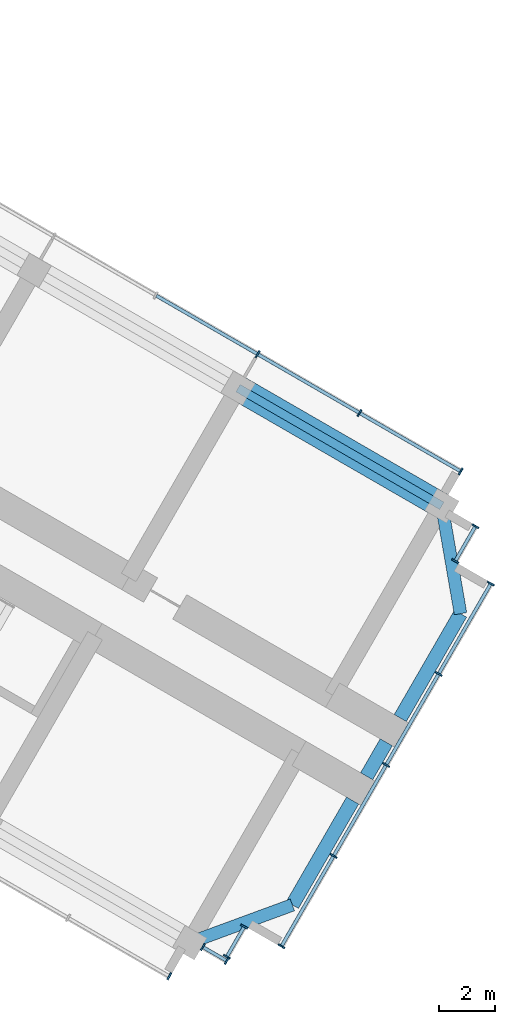
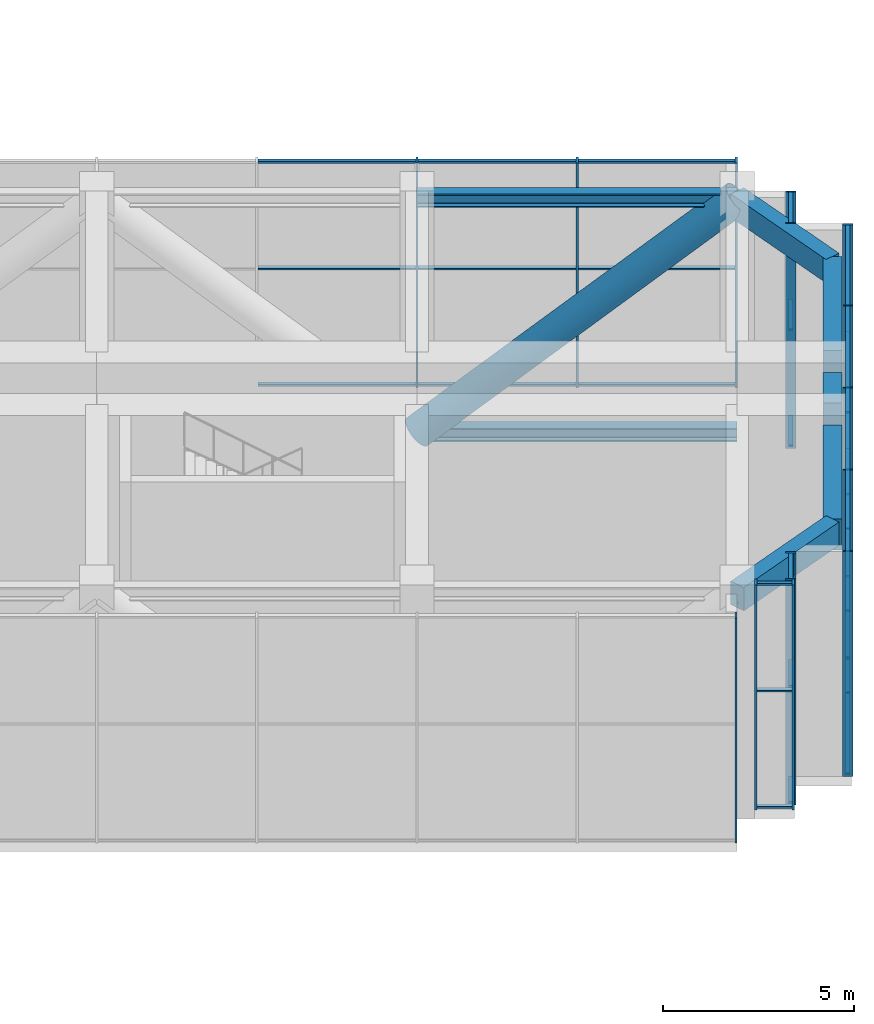
# One storey, part 7 of 16: 48 members, 5 beams, 6 elements without a shape of their own.
"""IFC4 building model written with IfcOpenShell, lengths in metres."""

from ifc_helpers import new_model, si_unit, direction, frame, origin, origin_2d, place, context, subcontext, project, spatial, rectangle, hollow_circle, i_section, extrude, material, material_profile, profile_set, type_object, element, aggregate, save


model = new_model("IFC4")

# Units and contexts
model_context = context("Model", 3, precision=1e-05, world=origin(), true_north=direction((0.0, 1.0)))
body_context = subcontext(model_context, "Body", "Model", "MODEL_VIEW")
ifc_project = project(units=[si_unit("LENGTHUNIT", "METRE"), si_unit("AREAUNIT", "SQUARE_METRE"), si_unit("VOLUMEUNIT", "CUBIC_METRE"), si_unit("PLANEANGLEUNIT", "RADIAN"), si_unit("MASSUNIT", "GRAM", prefix="KILO")], contexts=[model_context])

# Site, building, storey
site_placement = place(None, origin())
site = spatial("IfcSite", under=ifc_project, at=site_placement, CompositionType="ELEMENT")
building_placement = place(site_placement, origin())
building = spatial("IfcBuilding", under=site, at=building_placement, Name="Impinga Residences", CompositionType="ELEMENT")
storey_placement = place(building_placement, frame((0.0, 0.0, 181.0)))
storey = spatial("IfcBuildingStorey", under=building, at=storey_placement, Name="L45", CompositionType="ELEMENT", Elevation=181.0)

# Members
ifc_material_1 = material(Name="Steel S355", Category="steel")
ifc_material_profile_1 = material_profile(ifc_material_1, i_section(OverallWidth=0.306884765625, OverallDepth=0.431884765625, WebThickness=0.02099609375, FlangeThickness=0.0400390625, FilletRadius=0.027099609375, at=origin_2d()), Name="HE 400 M")
ifc_profile_set_1 = profile_set([ifc_material_profile_1], Name="Steel S355")
member_type_1 = type_object("IfcMemberType", Name="BT1 HE 400 M belt truss chord", PredefinedType="CHORD", material=ifc_profile_set_1)
for number, where, z_axis, x_axis, name in (
    (1, (28.94921875, -6.321533203125, -0.51611328125), (0.86602925447, -0.499993330357, 0.0), (0.499993330357, 0.86602925447, 0.0), "Belt truss chord BT1 EA E3-E4 L45"),
    (2, (28.94921875, -6.321533203125, 6.98388671875), (0.86602925447, -0.499993330357, 0.0), (0.499993330357, 0.86602925447, 0.0), "Belt truss chord BT1 EA E3-E4 L45"),
):
    element("IfcMember", number, at=place(storey_placement, frame(where, z_axis=z_axis, x_axis=x_axis)), inside=storey, type_object=member_type_1, Name=name, PredefinedType="CHORD", context=body_context, shape_type="SweptSolid", body=[
        extrude(i_section(OverallWidth=0.306884765625, OverallDepth=0.431884765625, WebThickness=0.02099609375, FlangeThickness=0.0400390625, FilletRadius=0.027099609375, at=origin_2d()), origin(), (0.0, 0.0, 1.0), 8.39990234375),
    ])
ifc_material_2 = material(Name="Steel S355J2H", Category="steel")
ifc_material_profile_2 = material_profile(ifc_material_2, hollow_circle(Radius=0.457275390625, WallThickness=0.02490234375, at=origin_2d()), Name="CHS 914.4x25")
ifc_profile_set_2 = profile_set([ifc_material_profile_2], Name="Steel S355J2H")
member_type_2 = type_object("IfcMemberType", Name="BT3 CHS 914.4x25 belt truss diagonal at L45", PredefinedType="BRACE", material=ifc_profile_set_2)
member_1_placement = place(storey_placement, frame((28.94921875, -6.321533203125, -0.51611328125), z_axis=(0.646004328005, -0.372964139164, 0.666015134285), x_axis=(0.499993330357, 0.86602925447, 0.0)))
element("IfcMember", 3, at=member_1_placement, inside=storey, type_object=member_type_2, Name="Belt truss diagonal BT3 EA E3-E4 L45", PredefinedType="BRACE", context=body_context, shape_type="SweptSolid", body=[
    extrude(hollow_circle(Radius=0.457275390625, WallThickness=0.02490234375, at=origin_2d()), origin(), (0.0, 0.0, 1.0), 11.260986328125),
])

# Beams
ifc_material_3 = material(Name="Concrete C60/75", Category="concrete")
ifc_material_profile_3 = material_profile(ifc_material_3, rectangle(XDim=0.449951171875, YDim=0.75, at=origin_2d()), Name="RC 450x750")
ifc_profile_set_3 = profile_set([ifc_material_profile_3], Name="Concrete C60/75")
beam_type_1 = type_object("IfcBeamType", Name="CB1 450x750 wing end cantilever beam", PredefinedType="BEAM", material=ifc_profile_set_3)
beam_1_placement = place(storey_placement, frame((36.223876953125, -10.521484375, 6.824951171875), z_axis=(0.170296298948, -0.985392901621, 0.0), x_axis=(0.985392901621, 0.170296298948, 0.0)))
element("IfcBeam", 4, at=beam_1_placement, inside=storey, type_object=beam_type_1, Name="Beam CB1 EB E4-EX level L46", PredefinedType="BEAM", context=body_context, shape_type="SweptSolid", body=[
    extrude(rectangle(XDim=0.449951171875, YDim=0.75, at=origin_2d()), origin(), (0.0, 0.0, 1.0), 3.9052734375),
])
beam_2_placement = place(storey_placement, frame((27.223876953125, -26.110107421875, 6.824951171875), z_axis=(0.938520178725, 0.345224382289, 0.0), x_axis=(-0.345224382289, 0.938520178725, 0.0)))
element("IfcBeam", 5, at=beam_2_placement, inside=storey, type_object=beam_type_1, Name="Beam CB1 EE E4-EX level L46", PredefinedType="BEAM", context=body_context, shape_type="SweptSolid", body=[
    extrude(rectangle(XDim=0.449951171875, YDim=0.75, at=origin_2d()), origin(), (0.0, 0.0, 1.0), 3.905029296875),
])

# Curtain wall, members
ifc_material_4 = material(Name="Aluminium stick curtain wall", Category="aluminium")
curtain_wall_type = type_object("IfcCurtainWallType", Name="CW4 plant floor louvred curtain wall", PredefinedType="USERDEFINED", material=ifc_material_4)
curtain_wall_1_placement = place(storey_placement, origin())
curtain_wall_1 = element("IfcCurtainWall", 6, at=curtain_wall_1_placement, inside=storey, type_object=curtain_wall_type, Name="Curtain wall CW4 L45", ObjectType="STICK CURTAIN WALL", PredefinedType="USERDEFINED")
ifc_material_5 = material(Name="Aluminium mullion", Category="aluminium")
ifc_material_profile_4 = material_profile(ifc_material_5, rectangle(XDim=0.06005859375, YDim=0.27490234375, at=origin_2d()), Name="60x275 mullion")
ifc_profile_set_4 = profile_set([ifc_material_profile_4], Name="Aluminium mullion")
member_type_3 = type_object("IfcMemberType", Name="CW4-M mullion 60x275", PredefinedType="MULLION", material=ifc_profile_set_4)
member_2_placement = place(storey_placement, frame((29.649169921875, -5.109130859375, 0.0), z_axis=(0.0, 0.0, 1.0), x_axis=(0.866025402048, -0.500000003008, 0.0)))
member_2 = element("IfcMember", 7, at=member_2_placement, type_object=member_type_3, Name="CW4 mullion 5", PredefinedType="MULLION", context=body_context, shape_type="SweptSolid", body=[
    extrude(rectangle(XDim=0.06005859375, YDim=0.27490234375, at=origin_2d()), origin(), (0.0, 0.0, 1.0), 7.199951171875),
])
member_3_placement = place(storey_placement, frame((33.28662109375, -7.208984375, 0.0), z_axis=(0.0, 0.0, 1.0), x_axis=(0.866025402048, -0.500000003008, 0.0)))
member_3 = element("IfcMember", 8, at=member_3_placement, type_object=member_type_3, Name="CW4 mullion 6", PredefinedType="MULLION", context=body_context, shape_type="SweptSolid", body=[
    extrude(rectangle(XDim=0.06005859375, YDim=0.27490234375, at=origin_2d()), origin(), (0.0, 0.0, 1.0), 7.199951171875),
])
member_4_placement = place(storey_placement, frame((36.89794921875, -9.294189453125, 0.0), z_axis=(0.0, 0.0, 1.0), x_axis=(0.866025402048, -0.500000003008, 0.0)))
member_4 = element("IfcMember", 9, at=member_4_placement, type_object=member_type_3, Name="CW4 mullion 7", PredefinedType="MULLION", context=body_context, shape_type="SweptSolid", body=[
    extrude(rectangle(XDim=0.06005859375, YDim=0.27490234375, at=origin_2d()), origin(), (0.0, 0.0, 1.0), 7.199951171875),
])

curtain_wall_2_placement = place(storey_placement, origin())
curtain_wall_2 = element("IfcCurtainWall", 10, at=curtain_wall_2_placement, inside=storey, type_object=curtain_wall_type, Name="Curtain wall CW4 L45", ObjectType="STICK CURTAIN WALL", PredefinedType="USERDEFINED")
member_5_placement = place(storey_placement, frame((37.42138671875, -11.24755859375, 0.0), z_axis=(0.0, 0.0, 1.0), x_axis=(-0.500000030502, -0.866025386174, 0.0)))
member_5 = element("IfcMember", 11, at=member_5_placement, type_object=member_type_3, Name="CW4 mullion 1", PredefinedType="MULLION", context=body_context, shape_type="SweptSolid", body=[
    extrude(rectangle(XDim=0.06005859375, YDim=0.27490234375, at=origin_2d()), origin(), (0.0, 0.0, 1.0), 7.199951171875),
])
member_6_placement = place(storey_placement, frame((36.701171875, -12.49462890625, 0.0), z_axis=(0.0, 0.0, 1.0), x_axis=(-0.500000030502, -0.866025386174, 0.0)))
member_6 = element("IfcMember", 12, at=member_6_placement, type_object=member_type_3, Name="CW4 mullion 2", PredefinedType="MULLION", context=body_context, shape_type="SweptSolid", body=[
    extrude(rectangle(XDim=0.06005859375, YDim=0.27490234375, at=origin_2d()), origin(), (0.0, 0.0, 1.0), 7.199951171875),
])

curtain_wall_3_placement = place(storey_placement, origin())
curtain_wall_3 = element("IfcCurtainWall", 13, at=curtain_wall_3_placement, inside=storey, type_object=curtain_wall_type, Name="Curtain wall CW4 L45", ObjectType="STICK CURTAIN WALL", PredefinedType="USERDEFINED")
member_7_placement = place(storey_placement, frame((37.97021484375, -13.296630859375, 0.0), z_axis=(0.0, 0.0, 1.0), x_axis=(-0.500000001632, -0.866025402842, 0.0)))
member_7 = element("IfcMember", 14, at=member_7_placement, type_object=member_type_3, Name="CW4 mullion 1", PredefinedType="MULLION", context=body_context, shape_type="SweptSolid", body=[
    extrude(rectangle(XDim=0.06005859375, YDim=0.27490234375, at=origin_2d()), origin(), (0.0, 0.0, 1.0), 7.199951171875),
])
member_8_placement = place(storey_placement, frame((36.1103515625, -16.51806640625, 0.0), z_axis=(0.0, 0.0, 1.0), x_axis=(-0.500000001632, -0.866025402842, 0.0)))
member_8 = element("IfcMember", 15, at=member_8_placement, type_object=member_type_3, Name="CW4 mullion 2", PredefinedType="MULLION", context=body_context, shape_type="SweptSolid", body=[
    extrude(rectangle(XDim=0.06005859375, YDim=0.27490234375, at=origin_2d()), origin(), (0.0, 0.0, 1.0), 7.199951171875),
])
member_9_placement = place(storey_placement, frame((34.2353515625, -19.765869140625, 0.0), z_axis=(0.0, 0.0, 1.0), x_axis=(-0.500000001632, -0.866025402842, 0.0)))
member_9 = element("IfcMember", 16, at=member_9_placement, type_object=member_type_3, Name="CW4 mullion 3", PredefinedType="MULLION", context=body_context, shape_type="SweptSolid", body=[
    extrude(rectangle(XDim=0.06005859375, YDim=0.27490234375, at=origin_2d()), origin(), (0.0, 0.0, 1.0), 7.199951171875),
])
member_10_placement = place(storey_placement, frame((32.3603515625, -23.013427734375, 0.0), z_axis=(0.0, 0.0, 1.0), x_axis=(-0.500000001632, -0.866025402842, 0.0)))
member_10 = element("IfcMember", 17, at=member_10_placement, type_object=member_type_3, Name="CW4 mullion 4", PredefinedType="MULLION", context=body_context, shape_type="SweptSolid", body=[
    extrude(rectangle(XDim=0.06005859375, YDim=0.27490234375, at=origin_2d()), origin(), (0.0, 0.0, 1.0), 7.199951171875),
])
member_11_placement = place(storey_placement, frame((30.500244140625, -26.23486328125, 0.0), z_axis=(0.0, 0.0, 1.0), x_axis=(-0.500000001632, -0.866025402842, 0.0)))
member_11 = element("IfcMember", 18, at=member_11_placement, type_object=member_type_3, Name="CW4 mullion 5", PredefinedType="MULLION", context=body_context, shape_type="SweptSolid", body=[
    extrude(rectangle(XDim=0.06005859375, YDim=0.27490234375, at=origin_2d()), origin(), (0.0, 0.0, 1.0), 7.199951171875),
])

curtain_wall_4_placement = place(storey_placement, origin())
curtain_wall_4 = element("IfcCurtainWall", 19, at=curtain_wall_4_placement, inside=storey, type_object=curtain_wall_type, Name="Curtain wall CW4 L45", ObjectType="STICK CURTAIN WALL", PredefinedType="USERDEFINED")
member_12_placement = place(storey_placement, frame((29.17138671875, -25.536865234375, 0.0), z_axis=(0.0, 0.0, 1.0), x_axis=(-0.500000008298, -0.866025398994, 0.0)))
member_12 = element("IfcMember", 20, at=member_12_placement, type_object=member_type_3, Name="CW4 mullion 1", PredefinedType="MULLION", context=body_context, shape_type="SweptSolid", body=[
    extrude(rectangle(XDim=0.06005859375, YDim=0.27490234375, at=origin_2d()), origin(), (0.0, 0.0, 1.0), 7.199951171875),
])
member_13_placement = place(storey_placement, frame((28.55126953125, -26.61083984375, 0.0), z_axis=(0.0, 0.0, 1.0), x_axis=(-0.500000008298, -0.866025398994, 0.0)))
member_13 = element("IfcMember", 21, at=member_13_placement, type_object=member_type_3, Name="CW4 mullion 2", PredefinedType="MULLION", context=body_context, shape_type="SweptSolid", body=[
    extrude(rectangle(XDim=0.06005859375, YDim=0.27490234375, at=origin_2d()), origin(), (0.0, 0.0, 1.0), 7.199951171875),
])

curtain_wall_5_placement = place(storey_placement, origin())
curtain_wall_5 = element("IfcCurtainWall", 22, at=curtain_wall_5_placement, inside=storey, type_object=curtain_wall_type, Name="Curtain wall CW4 L45", ObjectType="STICK CURTAIN WALL", PredefinedType="USERDEFINED")
member_14_placement = place(storey_placement, frame((28.546875, -26.75830078125, 0.0), z_axis=(0.0, 0.0, 1.0), x_axis=(-0.86602549983, 0.499999833644, 0.0)))
member_14 = element("IfcMember", 23, at=member_14_placement, type_object=member_type_3, Name="CW4 mullion 1", PredefinedType="MULLION", context=body_context, shape_type="SweptSolid", body=[
    extrude(rectangle(XDim=0.06005859375, YDim=0.27490234375, at=origin_2d()), origin(), (0.0, 0.0, 1.0), 7.199951171875),
])
member_15_placement = place(storey_placement, frame((27.692138671875, -26.264892578125, 0.0), z_axis=(0.0, 0.0, 1.0), x_axis=(-0.86602549983, 0.499999833644, 0.0)))
member_15 = element("IfcMember", 24, at=member_15_placement, type_object=member_type_3, Name="CW4 mullion 2", PredefinedType="MULLION", context=body_context, shape_type="SweptSolid", body=[
    extrude(rectangle(XDim=0.06005859375, YDim=0.27490234375, at=origin_2d()), origin(), (0.0, 0.0, 1.0), 7.199951171875),
])

# Curtain wall, member
curtain_wall_6_placement = place(storey_placement, origin())
curtain_wall_6 = element("IfcCurtainWall", 25, at=curtain_wall_6_placement, inside=storey, type_object=curtain_wall_type, Name="Curtain wall CW4 L45", ObjectType="STICK CURTAIN WALL", PredefinedType="USERDEFINED")
member_16_placement = place(storey_placement, frame((26.497802734375, -27.307373046875, 0.0), z_axis=(0.0, 0.0, 1.0), x_axis=(-0.866025402048, 0.500000003008, 0.0)))
member_16 = element("IfcMember", 26, at=member_16_placement, type_object=member_type_3, Name="CW4 mullion 1", PredefinedType="MULLION", context=body_context, shape_type="SweptSolid", body=[
    extrude(rectangle(XDim=0.06005859375, YDim=0.27490234375, at=origin_2d()), origin(), (0.0, 0.0, 1.0), 7.199951171875),
])
aggregate(curtain_wall_6, [member_16])

# Member
ifc_material_6 = material(Name="Aluminium transom", Category="aluminium")
ifc_material_profile_5 = material_profile(ifc_material_6, rectangle(XDim=0.06005859375, YDim=0.1201171875, at=origin_2d()), Name="60x120 transom")
ifc_profile_set_5 = profile_set([ifc_material_profile_5], Name="Aluminium transom")
member_type_4 = type_object("IfcMemberType", Name="CW4-T transom 60x120", PredefinedType="USERDEFINED", material=ifc_profile_set_5)
member_17_placement = place(storey_placement, frame((26.037841796875, -3.024169921875, 0.030029296875), z_axis=(0.866050071143, -0.499957272447, 0.0), x_axis=(0.0, 0.0, 1.0)))
member_17 = element("IfcMember", 27, at=member_17_placement, type_object=member_type_4, Name="CW4 transom 4.1", ObjectType="TRANSOM", PredefinedType="USERDEFINED", context=body_context, shape_type="SweptSolid", body=[
    extrude(rectangle(XDim=0.06005859375, YDim=0.1201171875, at=origin_2d()), origin(), (0.0, 0.0, 1.0), 4.139892578125),
])

member_18_placement = place(storey_placement, frame((26.037841796875, -3.024169921875, 3.75), z_axis=(0.866050071143, -0.499957272447, 0.0), x_axis=(0.0, 0.0, 1.0)))
member_18 = element("IfcMember", 28, at=member_18_placement, type_object=member_type_4, Name="CW4 transom 4.2", ObjectType="TRANSOM", PredefinedType="USERDEFINED", context=body_context, shape_type="SweptSolid", body=[
    extrude(rectangle(XDim=0.06005859375, YDim=0.1201171875, at=origin_2d()), origin(), (0.0, 0.0, 1.0), 4.139892578125),
])

member_19_placement = place(storey_placement, frame((26.037841796875, -3.024169921875, 7.169921875), z_axis=(0.866050071143, -0.499957272447, 0.0), x_axis=(0.0, 0.0, 1.0)))
member_19 = element("IfcMember", 29, at=member_19_placement, type_object=member_type_4, Name="CW4 transom 4.3", ObjectType="TRANSOM", PredefinedType="USERDEFINED", context=body_context, shape_type="SweptSolid", body=[
    extrude(rectangle(XDim=0.06005859375, YDim=0.1201171875, at=origin_2d()), origin(), (0.0, 0.0, 1.0), 4.139892578125),
])

member_20_placement = place(storey_placement, frame((29.67529296875, -5.1240234375, 0.030029296875), z_axis=(0.866009793405, -0.500027036996, 0.0), x_axis=(0.0, 0.0, 1.0)))
member_20 = element("IfcMember", 30, at=member_20_placement, type_object=member_type_4, Name="CW4 transom 5.1", ObjectType="TRANSOM", PredefinedType="USERDEFINED", context=body_context, shape_type="SweptSolid", body=[
    extrude(rectangle(XDim=0.06005859375, YDim=0.1201171875, at=origin_2d()), origin(), (0.0, 0.0, 1.0), 4.139892578125),
])

member_21_placement = place(storey_placement, frame((29.67529296875, -5.1240234375, 3.75), z_axis=(0.866009793405, -0.500027036996, 0.0), x_axis=(0.0, 0.0, 1.0)))
member_21 = element("IfcMember", 31, at=member_21_placement, type_object=member_type_4, Name="CW4 transom 5.2", ObjectType="TRANSOM", PredefinedType="USERDEFINED", context=body_context, shape_type="SweptSolid", body=[
    extrude(rectangle(XDim=0.06005859375, YDim=0.1201171875, at=origin_2d()), origin(), (0.0, 0.0, 1.0), 4.139892578125),
])

member_22_placement = place(storey_placement, frame((29.67529296875, -5.1240234375, 7.169921875), z_axis=(0.866009793405, -0.500027036996, 0.0), x_axis=(0.0, 0.0, 1.0)))
member_22 = element("IfcMember", 32, at=member_22_placement, type_object=member_type_4, Name="CW4 transom 5.3", ObjectType="TRANSOM", PredefinedType="USERDEFINED", context=body_context, shape_type="SweptSolid", body=[
    extrude(rectangle(XDim=0.06005859375, YDim=0.1201171875, at=origin_2d()), origin(), (0.0, 0.0, 1.0), 4.139892578125),
])

member_23_placement = place(storey_placement, frame((33.3125, -7.22412109375, 0.030029296875), z_axis=(0.866030279993, -0.499991554064, 0.0), x_axis=(0.0, 0.0, 1.0)))
member_23 = element("IfcMember", 33, at=member_23_placement, type_object=member_type_4, Name="CW4 transom 6.1", ObjectType="TRANSOM", PredefinedType="USERDEFINED", context=body_context, shape_type="SweptSolid", body=[
    extrude(rectangle(XDim=0.06005859375, YDim=0.1201171875, at=origin_2d()), origin(), (0.0, 0.0, 1.0), 4.10986328125),
])

member_24_placement = place(storey_placement, frame((33.3125, -7.22412109375, 3.75), z_axis=(0.866030279993, -0.499991554064, 0.0), x_axis=(0.0, 0.0, 1.0)))
member_24 = element("IfcMember", 34, at=member_24_placement, type_object=member_type_4, Name="CW4 transom 6.2", ObjectType="TRANSOM", PredefinedType="USERDEFINED", context=body_context, shape_type="SweptSolid", body=[
    extrude(rectangle(XDim=0.06005859375, YDim=0.1201171875, at=origin_2d()), origin(), (0.0, 0.0, 1.0), 4.10986328125),
])

member_25_placement = place(storey_placement, frame((33.3125, -7.22412109375, 7.169921875), z_axis=(0.866030279993, -0.499991554064, 0.0), x_axis=(0.0, 0.0, 1.0)))
member_25 = element("IfcMember", 35, at=member_25_placement, type_object=member_type_4, Name="CW4 transom 6.3", ObjectType="TRANSOM", PredefinedType="USERDEFINED", context=body_context, shape_type="SweptSolid", body=[
    extrude(rectangle(XDim=0.06005859375, YDim=0.1201171875, at=origin_2d()), origin(), (0.0, 0.0, 1.0), 4.10986328125),
])

aggregate(curtain_wall_1, [member_2, member_3, member_4, member_17, member_18, member_19, member_20, member_21, member_22, member_23, member_24, member_25])

member_26_placement = place(storey_placement, frame((37.40625, -11.2734375, 0.030029296875), z_axis=(-0.499982807329, -0.86603532975, 0.0), x_axis=(0.0, 0.0, 1.0)))
member_26 = element("IfcMember", 36, at=member_26_placement, type_object=member_type_4, Name="CW4 transom 1.1", ObjectType="TRANSOM", PredefinedType="USERDEFINED", context=body_context, shape_type="SweptSolid", body=[
    extrude(rectangle(XDim=0.06005859375, YDim=0.1201171875, at=origin_2d()), origin(), (0.0, 0.0, 1.0), 1.3798828125),
])

member_27_placement = place(storey_placement, frame((37.40625, -11.2734375, 3.75), z_axis=(-0.499982807329, -0.86603532975, 0.0), x_axis=(0.0, 0.0, 1.0)))
member_27 = element("IfcMember", 37, at=member_27_placement, type_object=member_type_4, Name="CW4 transom 1.2", ObjectType="TRANSOM", PredefinedType="USERDEFINED", context=body_context, shape_type="SweptSolid", body=[
    extrude(rectangle(XDim=0.06005859375, YDim=0.1201171875, at=origin_2d()), origin(), (0.0, 0.0, 1.0), 1.3798828125),
])

member_28_placement = place(storey_placement, frame((37.40625, -11.2734375, 7.169921875), z_axis=(-0.499982807329, -0.86603532975, 0.0), x_axis=(0.0, 0.0, 1.0)))
member_28 = element("IfcMember", 38, at=member_28_placement, type_object=member_type_4, Name="CW4 transom 1.3", ObjectType="TRANSOM", PredefinedType="USERDEFINED", context=body_context, shape_type="SweptSolid", body=[
    extrude(rectangle(XDim=0.06005859375, YDim=0.1201171875, at=origin_2d()), origin(), (0.0, 0.0, 1.0), 1.3798828125),
])

aggregate(curtain_wall_2, [member_5, member_6, member_26, member_27, member_28])

member_29_placement = place(storey_placement, frame((37.955322265625, -13.322509765625, 0.030029296875), z_axis=(-0.500013080017, -0.866017851902, 0.0), x_axis=(0.0, 0.0, 1.0)))
member_29 = element("IfcMember", 39, at=member_29_placement, type_object=member_type_4, Name="CW4 transom 1.1", ObjectType="TRANSOM", PredefinedType="USERDEFINED", context=body_context, shape_type="SweptSolid", body=[
    extrude(rectangle(XDim=0.06005859375, YDim=0.1201171875, at=origin_2d()), origin(), (0.0, 0.0, 1.0), 3.66015625),
])

member_30_placement = place(storey_placement, frame((37.955322265625, -13.322509765625, 3.75), z_axis=(-0.500013080017, -0.866017851902, 0.0), x_axis=(0.0, 0.0, 1.0)))
member_30 = element("IfcMember", 40, at=member_30_placement, type_object=member_type_4, Name="CW4 transom 1.2", ObjectType="TRANSOM", PredefinedType="USERDEFINED", context=body_context, shape_type="SweptSolid", body=[
    extrude(rectangle(XDim=0.06005859375, YDim=0.1201171875, at=origin_2d()), origin(), (0.0, 0.0, 1.0), 3.66015625),
])

member_31_placement = place(storey_placement, frame((37.955322265625, -13.322509765625, 7.169921875), z_axis=(-0.500013080017, -0.866017851902, 0.0), x_axis=(0.0, 0.0, 1.0)))
member_31 = element("IfcMember", 41, at=member_31_placement, type_object=member_type_4, Name="CW4 transom 1.3", ObjectType="TRANSOM", PredefinedType="USERDEFINED", context=body_context, shape_type="SweptSolid", body=[
    extrude(rectangle(XDim=0.06005859375, YDim=0.1201171875, at=origin_2d()), origin(), (0.0, 0.0, 1.0), 3.66015625),
])

member_32_placement = place(storey_placement, frame((36.09521484375, -16.544189453125, 0.030029296875), z_axis=(-0.500003092839, -0.866023618125, 0.0), x_axis=(0.0, 0.0, 1.0)))
member_32 = element("IfcMember", 42, at=member_32_placement, type_object=member_type_4, Name="CW4 transom 2.1", ObjectType="TRANSOM", PredefinedType="USERDEFINED", context=body_context, shape_type="SweptSolid", body=[
    extrude(rectangle(XDim=0.06005859375, YDim=0.1201171875, at=origin_2d()), origin(), (0.0, 0.0, 1.0), 3.68994140625),
])

member_33_placement = place(storey_placement, frame((36.09521484375, -16.544189453125, 3.75), z_axis=(-0.500003092839, -0.866023618125, 0.0), x_axis=(0.0, 0.0, 1.0)))
member_33 = element("IfcMember", 43, at=member_33_placement, type_object=member_type_4, Name="CW4 transom 2.2", ObjectType="TRANSOM", PredefinedType="USERDEFINED", context=body_context, shape_type="SweptSolid", body=[
    extrude(rectangle(XDim=0.06005859375, YDim=0.1201171875, at=origin_2d()), origin(), (0.0, 0.0, 1.0), 3.68994140625),
])

member_34_placement = place(storey_placement, frame((36.09521484375, -16.544189453125, 7.169921875), z_axis=(-0.500003092839, -0.866023618125, 0.0), x_axis=(0.0, 0.0, 1.0)))
member_34 = element("IfcMember", 44, at=member_34_placement, type_object=member_type_4, Name="CW4 transom 2.3", ObjectType="TRANSOM", PredefinedType="USERDEFINED", context=body_context, shape_type="SweptSolid", body=[
    extrude(rectangle(XDim=0.06005859375, YDim=0.1201171875, at=origin_2d()), origin(), (0.0, 0.0, 1.0), 3.68994140625),
])

member_35_placement = place(storey_placement, frame((34.22021484375, -19.791748046875, 0.030029296875), z_axis=(-0.500003092839, -0.866023618125, 0.0), x_axis=(0.0, 0.0, 1.0)))
member_35 = element("IfcMember", 45, at=member_35_placement, type_object=member_type_4, Name="CW4 transom 3.1", ObjectType="TRANSOM", PredefinedType="USERDEFINED", context=body_context, shape_type="SweptSolid", body=[
    extrude(rectangle(XDim=0.06005859375, YDim=0.1201171875, at=origin_2d()), origin(), (0.0, 0.0, 1.0), 3.68994140625),
])

member_36_placement = place(storey_placement, frame((34.22021484375, -19.791748046875, 3.75), z_axis=(-0.500003092839, -0.866023618125, 0.0), x_axis=(0.0, 0.0, 1.0)))
member_36 = element("IfcMember", 46, at=member_36_placement, type_object=member_type_4, Name="CW4 transom 3.2", ObjectType="TRANSOM", PredefinedType="USERDEFINED", context=body_context, shape_type="SweptSolid", body=[
    extrude(rectangle(XDim=0.06005859375, YDim=0.1201171875, at=origin_2d()), origin(), (0.0, 0.0, 1.0), 3.68994140625),
])

member_37_placement = place(storey_placement, frame((34.22021484375, -19.791748046875, 7.169921875), z_axis=(-0.500003092839, -0.866023618125, 0.0), x_axis=(0.0, 0.0, 1.0)))
member_37 = element("IfcMember", 47, at=member_37_placement, type_object=member_type_4, Name="CW4 transom 3.3", ObjectType="TRANSOM", PredefinedType="USERDEFINED", context=body_context, shape_type="SweptSolid", body=[
    extrude(rectangle(XDim=0.06005859375, YDim=0.1201171875, at=origin_2d()), origin(), (0.0, 0.0, 1.0), 3.68994140625),
])

member_38_placement = place(storey_placement, frame((32.34521484375, -23.039306640625, 0.030029296875), z_axis=(-0.499963050397, -0.866046735597, 0.0), x_axis=(0.0, 0.0, 1.0)))
member_38 = element("IfcMember", 48, at=member_38_placement, type_object=member_type_4, Name="CW4 transom 4.1", ObjectType="TRANSOM", PredefinedType="USERDEFINED", context=body_context, shape_type="SweptSolid", body=[
    extrude(rectangle(XDim=0.06005859375, YDim=0.1201171875, at=origin_2d()), origin(), (0.0, 0.0, 1.0), 3.659912109375),
])

member_39_placement = place(storey_placement, frame((32.34521484375, -23.039306640625, 3.75), z_axis=(-0.499963050397, -0.866046735597, 0.0), x_axis=(0.0, 0.0, 1.0)))
member_39 = element("IfcMember", 49, at=member_39_placement, type_object=member_type_4, Name="CW4 transom 4.2", ObjectType="TRANSOM", PredefinedType="USERDEFINED", context=body_context, shape_type="SweptSolid", body=[
    extrude(rectangle(XDim=0.06005859375, YDim=0.1201171875, at=origin_2d()), origin(), (0.0, 0.0, 1.0), 3.659912109375),
])

member_40_placement = place(storey_placement, frame((32.34521484375, -23.039306640625, 7.169921875), z_axis=(-0.499963050397, -0.866046735597, 0.0), x_axis=(0.0, 0.0, 1.0)))
member_40 = element("IfcMember", 50, at=member_40_placement, type_object=member_type_4, Name="CW4 transom 4.3", ObjectType="TRANSOM", PredefinedType="USERDEFINED", context=body_context, shape_type="SweptSolid", body=[
    extrude(rectangle(XDim=0.06005859375, YDim=0.1201171875, at=origin_2d()), origin(), (0.0, 0.0, 1.0), 3.659912109375),
])

aggregate(curtain_wall_3, [member_7, member_8, member_9, member_10, member_11, member_29, member_30, member_31, member_32, member_33, member_34, member_35, member_36, member_37, member_38, member_39, member_40])

member_41_placement = place(storey_placement, frame((29.15625, -25.56298828125, 0.030029296875), z_axis=(-0.500122458289, -0.865954690914, 0.0), x_axis=(0.0, 0.0, 1.0)))
member_41 = element("IfcMember", 51, at=member_41_placement, type_object=member_type_4, Name="CW4 transom 1.1", ObjectType="TRANSOM", PredefinedType="USERDEFINED", context=body_context, shape_type="SweptSolid", body=[
    extrude(rectangle(XDim=0.06005859375, YDim=0.1201171875, at=origin_2d()), origin(), (0.0, 0.0, 1.0), 1.179931640625),
])

member_42_placement = place(storey_placement, frame((29.15625, -25.56298828125, 3.75), z_axis=(-0.500122458289, -0.865954690914, 0.0), x_axis=(0.0, 0.0, 1.0)))
member_42 = element("IfcMember", 52, at=member_42_placement, type_object=member_type_4, Name="CW4 transom 1.2", ObjectType="TRANSOM", PredefinedType="USERDEFINED", context=body_context, shape_type="SweptSolid", body=[
    extrude(rectangle(XDim=0.06005859375, YDim=0.1201171875, at=origin_2d()), origin(), (0.0, 0.0, 1.0), 1.179931640625),
])

member_43_placement = place(storey_placement, frame((29.15625, -25.56298828125, 7.169921875), z_axis=(-0.500122458289, -0.865954690914, 0.0), x_axis=(0.0, 0.0, 1.0)))
member_43 = element("IfcMember", 53, at=member_43_placement, type_object=member_type_4, Name="CW4 transom 1.3", ObjectType="TRANSOM", PredefinedType="USERDEFINED", context=body_context, shape_type="SweptSolid", body=[
    extrude(rectangle(XDim=0.06005859375, YDim=0.1201171875, at=origin_2d()), origin(), (0.0, 0.0, 1.0), 1.179931640625),
])

aggregate(curtain_wall_4, [member_12, member_13, member_41, member_42, member_43])

member_44_placement = place(storey_placement, frame((28.52099609375, -26.743408203125, 0.030029296875), z_axis=(-0.866014576189, 0.500018753476, 0.0), x_axis=(0.0, 0.0, 1.0)))
member_44 = element("IfcMember", 54, at=member_44_placement, type_object=member_type_4, Name="CW4 transom 1.1", ObjectType="TRANSOM", PredefinedType="USERDEFINED", context=body_context, shape_type="SweptSolid", body=[
    extrude(rectangle(XDim=0.06005859375, YDim=0.1201171875, at=origin_2d()), origin(), (0.0, 0.0, 1.0), 0.92724609375),
])

member_45_placement = place(storey_placement, frame((28.52099609375, -26.743408203125, 3.75), z_axis=(-0.866014576189, 0.500018753476, 0.0), x_axis=(0.0, 0.0, 1.0)))
member_45 = element("IfcMember", 55, at=member_45_placement, type_object=member_type_4, Name="CW4 transom 1.2", ObjectType="TRANSOM", PredefinedType="USERDEFINED", context=body_context, shape_type="SweptSolid", body=[
    extrude(rectangle(XDim=0.06005859375, YDim=0.1201171875, at=origin_2d()), origin(), (0.0, 0.0, 1.0), 0.92724609375),
])

member_46_placement = place(storey_placement, frame((28.52099609375, -26.743408203125, 7.169921875), z_axis=(-0.866014576189, 0.500018753476, 0.0), x_axis=(0.0, 0.0, 1.0)))
member_46 = element("IfcMember", 56, at=member_46_placement, type_object=member_type_4, Name="CW4 transom 1.3", ObjectType="TRANSOM", PredefinedType="USERDEFINED", context=body_context, shape_type="SweptSolid", body=[
    extrude(rectangle(XDim=0.06005859375, YDim=0.1201171875, at=origin_2d()), origin(), (0.0, 0.0, 1.0), 0.92724609375),
])

aggregate(curtain_wall_5, [member_14, member_15, member_44, member_45, member_46])

# Beams
ifc_material_profile_6 = material_profile(ifc_material_3, rectangle(XDim=0.5, YDim=1.0, at=origin_2d()), Name="RC 500x1000")
ifc_profile_set_6 = profile_set([ifc_material_profile_6], Name="Concrete C60/75")
beam_type_2 = type_object("IfcBeamType", Name="EB1 500x1000 wing end beam", PredefinedType="BEAM", material=ifc_profile_set_6)
beam_3_placement = place(storey_placement, frame((36.888916015625, -14.36962890625, 6.699951171875), z_axis=(-0.499986217557, -0.866033360935, 0.0), x_axis=(0.866033360935, -0.499986217557, 0.0)))
element("IfcBeam", 57, at=beam_3_placement, inside=storey, type_object=beam_type_2, Name="Beam EB1 EX3 level L46", PredefinedType="BEAM", context=body_context, shape_type="SweptSolid", body=[
    extrude(rectangle(XDim=0.5, YDim=1.0, at=origin_2d()), origin(), (0.0, 0.0, 1.0), 4.2998046875),
])
beam_4_placement = place(storey_placement, frame((34.239013671875, -18.95947265625, 6.699951171875), z_axis=(-0.500114896893, -0.865959057869, 0.0), x_axis=(0.865959057869, -0.500114896893, 0.0)))
element("IfcBeam", 58, at=beam_4_placement, inside=storey, type_object=beam_type_2, Name="Beam EB1 EX3 level L46", PredefinedType="BEAM", context=body_context, shape_type="SweptSolid", body=[
    extrude(rectangle(XDim=0.5, YDim=1.0, at=origin_2d()), origin(), (0.0, 0.0, 1.0), 1.400146484375),
])
beam_5_placement = place(storey_placement, frame((33.038818359375, -21.0380859375, 6.699951171875), z_axis=(-0.499986217557, -0.866033360935, 0.0), x_axis=(0.866033360935, -0.499986217557, 0.0)))
element("IfcBeam", 59, at=beam_5_placement, inside=storey, type_object=beam_type_2, Name="Beam EB1 EX3 level L46", PredefinedType="BEAM", context=body_context, shape_type="SweptSolid", body=[
    extrude(rectangle(XDim=0.5, YDim=1.0, at=origin_2d()), origin(), (0.0, 0.0, 1.0), 4.2998046875),
])

save(model, "model.ifc")
